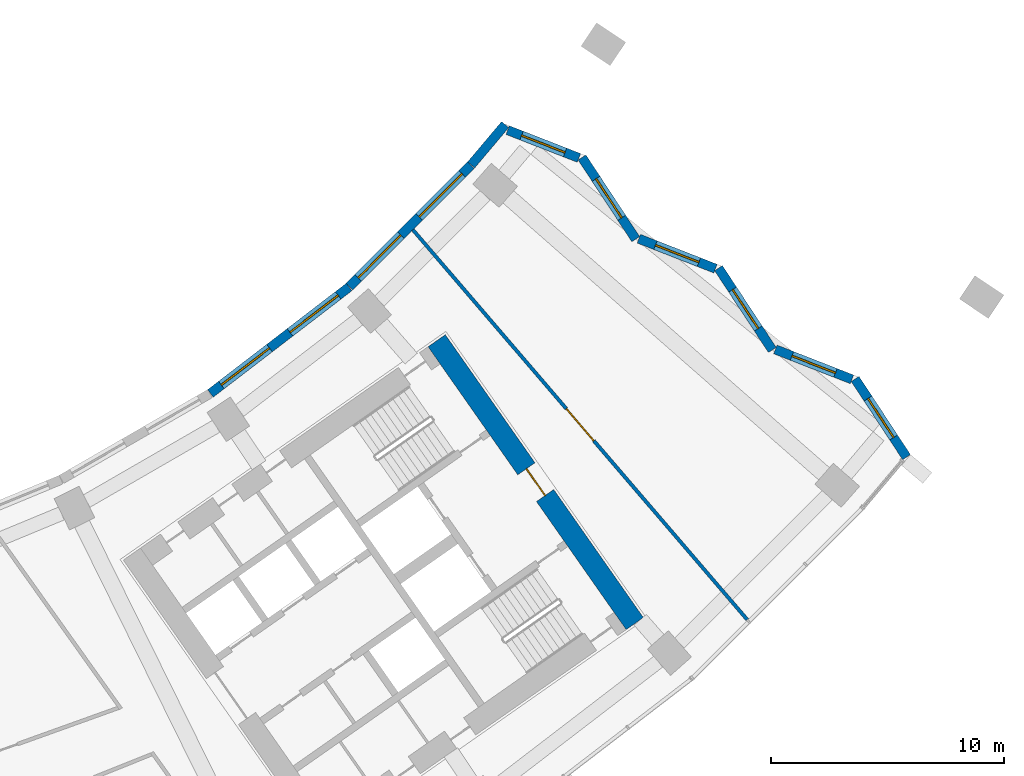
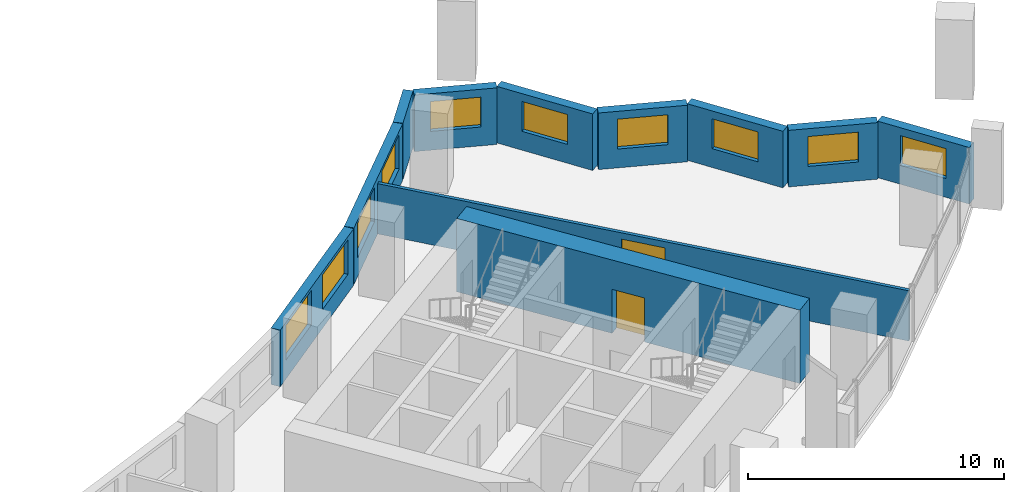
# One storey, part 8 of 30: 11 walls, 10 windows, 2 doors, 12 openings.
"""IFC4 building model written with IfcOpenShell, lengths in metres."""

from ifc_helpers import new_model, si_unit, direction, frame, frame_2d, origin, place, context, subcontext, project, spatial, rectangle, extrude, material, layer, layer_set, type_object, element, fill, save


model = new_model("IFC4")

# Units and contexts
model_context = context("Model", 3, precision=1e-05, world=origin(), true_north=direction((0.0, 1.0)))
body_context = subcontext(model_context, "Body", "Model", "MODEL_VIEW")
ifc_project = project(units=[si_unit("LENGTHUNIT", "METRE"), si_unit("AREAUNIT", "SQUARE_METRE"), si_unit("VOLUMEUNIT", "CUBIC_METRE"), si_unit("PLANEANGLEUNIT", "RADIAN"), si_unit("MASSUNIT", "GRAM", prefix="KILO")], contexts=[model_context])

# Site, building, storey
site_placement = place(None, origin())
site = spatial("IfcSite", under=ifc_project, at=site_placement, CompositionType="ELEMENT")
building_placement = place(site_placement, origin())
building = spatial("IfcBuilding", under=site, at=building_placement, Name="Qamariyya Broadcast Tower", CompositionType="ELEMENT")
storey_placement = place(building_placement, frame((0.0, 0.0, 125.300048828125)))
storey = spatial("IfcBuildingStorey", under=building, at=storey_placement, Name="L28", CompositionType="ELEMENT", Elevation=125.300048828125)

# Wall, opening, door
ifc_material_1 = material(Name="Concrete C70/85", Category="concrete")
ifc_layer_1 = layer(ifc_material_1, 0.89990234375)
ifc_layer_set_1 = layer_set([ifc_layer_1], Name="Core wall 900 mm Concrete C70/85")
wall_type_1 = type_object("IfcWallType", Name="Core wall 900 mm Concrete C70/85", PredefinedType="SHEAR", material=ifc_layer_set_1)
wall_1_placement = place(storey_placement, frame((49.778564453125, -57.191162109375, 0.0), z_axis=(0.0, 0.0, 1.0), x_axis=(-0.573577477574, 0.819151315216, 0.0)))
wall_1 = element("IfcWall", 1, at=wall_1_placement, inside=storey, type_object=wall_type_1, Name="k-E-L28-WH", PredefinedType="SHEAR", context=body_context, shape_type="SweptSolid", body=[
    extrude(rectangle(XDim=14.800048828125, YDim=0.89990234375, at=frame_2d((7.39990234375, 0.0))), origin(), (0.0, 0.0, 1.0), 3.5),
])
opening_1_placement = place(wall_1_placement, frame((6.699951171875, 0.0, 0.0)))
opening_1 = element("IfcOpeningElement", 2, at=opening_1_placement, cuts=wall_1, Name="Opening KD2-E1", PredefinedType="OPENING", context=body_context, shape_type="SweptSolid", body=[
    extrude(rectangle(XDim=1.39990234375, YDim=2.10009765625, at=frame_2d((0.699951171875, 1.050048828125))), frame((0.0, 0.4599609375, 0.0), z_axis=(0.0, -1.0, 0.0), x_axis=(1.0, 0.0, 0.0)), (0.0, 0.0, 1.0), 0.919921875),
])
ifc_material_2 = material(Name="Steel fire-resisting door leaf", Category="steel")
door_type_1 = type_object("IfcDoorType", Name="Fire-fighting lobby door KD2", OperationType="DOUBLE_DOOR_SINGLE_SWING", PredefinedType="DOOR", material=ifc_material_2)
door_1_placement = place(opening_1_placement, origin())
door_1 = element("IfcDoor", 3, at=door_1_placement, inside=storey, type_object=door_type_1, Name="k-E-L28-WH-D15", OperationType="DOUBLE_DOOR_SINGLE_SWING", OverallHeight=2.10009765625, OverallWidth=1.39990234375, PredefinedType="DOOR", context=body_context, shape_type="SweptSolid", body=[
    extrude(rectangle(XDim=1.39990234375, YDim=2.10009765625, at=frame_2d((0.699951171875, 1.050048828125))), frame((0.0, 0.02490234375, 0.0), z_axis=(0.0, -1.0, 0.0), x_axis=(1.0, 0.0, 0.0)), (0.0, 0.0, 1.0), 0.050048828125),
])
fill(opening_1, door_1)

ifc_material_3 = material(Name="Gypsum board partition")
ifc_layer_2 = layer(ifc_material_3, 0.14990234375)
ifc_layer_set_2 = layer_set([ifc_layer_2], Name="Corridor partition 150 EI 60")
wall_type_2 = type_object("IfcWallType", Name="Corridor partition 150 EI 60", PredefinedType="PARTITIONING", material=ifc_layer_set_2)
wall_2_placement = place(storey_placement, frame((40.267578125, -40.310791015625, 0.0), z_axis=(0.0, 0.0, 1.0), x_axis=(0.650987681244, -0.759088294514, 0.0)))
wall_2 = element("IfcWall", 4, at=wall_2_placement, inside=storey, type_object=wall_type_2, Name="Partition L28-039", PredefinedType="PARTITIONING", context=body_context, shape_type="SweptSolid", body=[
    extrude(rectangle(XDim=22.017822265625, YDim=0.14990234375, at=frame_2d((11.0087890625, 0.0))), origin(), (0.0, 0.0, 1.0), 2.39990234375),
])
opening_2_placement = place(wall_2_placement, frame((10.10888671875, 0.0, 0.0)))
opening_2 = element("IfcOpeningElement", 5, at=opening_2_placement, cuts=wall_2, Name="Opening L28-D18", PredefinedType="OPENING", context=body_context, shape_type="SweptSolid", body=[
    extrude(rectangle(XDim=1.800048828125, YDim=2.10009765625, at=frame_2d((0.89990234375, 1.050048828125))), frame((0.0, 0.0849609375, 0.0), z_axis=(0.0, -1.0, 0.0), x_axis=(1.0, 0.0, 0.0)), (0.0, 0.0, 1.0), 0.169921875),
])
ifc_material_4 = material(Name="Timber fire door leaf", Category="wood")
door_type_2 = type_object("IfcDoorType", Name="Double fire door 1800 x 2100 FD60", OperationType="NOTDEFINED", PredefinedType="DOOR", material=ifc_material_4)
door_2_placement = place(opening_2_placement, origin())
door_2 = element("IfcDoor", 6, at=door_2_placement, inside=storey, type_object=door_type_2, Name="Door L28-D18", OperationType="DOUBLE_DOOR_SINGLE_SWING", OverallHeight=2.10009765625, OverallWidth=1.800048828125, PredefinedType="DOOR", context=body_context, shape_type="SweptSolid", body=[
    extrude(rectangle(XDim=1.800048828125, YDim=2.10009765625, at=frame_2d((0.89990234375, 1.050048828125))), frame((0.0, 0.02490234375, 0.0), z_axis=(0.0, -1.0, 0.0), x_axis=(1.0, 0.0, 0.0)), (0.0, 0.0, 1.0), 0.050048828125),
])
fill(opening_2, door_2)

# Wall, opening, window
ifc_material_5 = material(Name="Terracotta", Category="masonry")
ifc_layer_3 = layer(ifc_material_5, 0.39990234375)
ifc_layer_set_3 = layer_set([ifc_layer_3], Name="Terracotta clad wall 400")
wall_type_3 = type_object("IfcWallType", Name="Terracotta clad wall 400", PredefinedType="SOLIDWALL", material=ifc_layer_set_3)
wall_3_placement = place(storey_placement, frame((61.4267578125, -50.056884765625, 0.0), z_axis=(0.0, 0.0, 1.0), x_axis=(-0.549523770795, 0.835478081898, 0.0)))
wall_3 = element("IfcWall", 7, at=wall_3_placement, inside=storey, type_object=wall_type_3, Name="e-wl-L28-capE0", PredefinedType="SOLIDWALL", context=body_context, shape_type="SweptSolid", body=[
    extrude(rectangle(XDim=4.013671875, YDim=0.39990234375, at=frame_2d((2.0068359375, 0.0))), origin(), (0.0, 0.0, 1.0), 2.699951171875),
])
opening_3_placement = place(wall_3_placement, frame((1.0068359375, 0.0, 0.89990234375)))
opening_3 = element("IfcOpeningElement", 8, at=opening_3_placement, cuts=wall_3, Name="Opening W4", PredefinedType="OPENING", context=body_context, shape_type="SweptSolid", body=[
    extrude(rectangle(XDim=2.0, YDim=1.425048828125, at=frame_2d((1.0, 0.71240234375))), frame((0.0, 0.2099609375, 0.0), z_axis=(0.0, -1.0, 0.0), x_axis=(1.0, 0.0, 0.0)), (0.0, 0.0, 1.0), 0.419921875),
])
ifc_material_6 = material(Name="Clear low-e double glazed unit in aluminium frame", Category="aluminium")
window_type_1 = type_object("IfcWindowType", Name="Horn bay window 2000 x 1425", PartitioningType="SINGLE_PANEL", PredefinedType="WINDOW", material=ifc_material_6)
window_1_placement = place(opening_3_placement, origin())
window_1 = element("IfcWindow", 9, at=window_1_placement, inside=storey, type_object=window_type_1, Name="e-w-L28-capE0", OverallHeight=1.425048828125, OverallWidth=2.0, PartitioningType="SINGLE_PANEL", PredefinedType="WINDOW", context=body_context, shape_type="SweptSolid", body=[
    extrude(rectangle(XDim=2.0, YDim=1.425048828125, at=frame_2d((1.0, 0.71240234375))), frame((0.0, 0.030029296875, 0.0), z_axis=(0.0, -1.0, 0.0), x_axis=(1.0, 0.0, 0.0)), (0.0, 0.0, 1.0), 0.06005859375),
])
fill(opening_3, window_1)

wall_4_placement = place(storey_placement, frame((59.089599609375, -46.7236328125, 0.0), z_axis=(0.0, 0.0, 1.0), x_axis=(-0.931529566466, 0.363665597493, 0.0)))
wall_4 = element("IfcWall", 10, at=wall_4_placement, inside=storey, type_object=wall_type_3, Name="e-wl-L28-capE1", PredefinedType="SOLIDWALL", context=body_context, shape_type="SweptSolid", body=[
    extrude(rectangle(XDim=3.52587890625, YDim=0.39990234375, at=frame_2d((1.762939453125, 0.0))), origin(), (0.0, 0.0, 1.0), 2.699951171875),
])
opening_4_placement = place(wall_4_placement, frame((0.762939453125, 0.0, 0.89990234375)))
opening_4 = element("IfcOpeningElement", 11, at=opening_4_placement, cuts=wall_4, Name="Opening W4", PredefinedType="OPENING", context=body_context, shape_type="SweptSolid", body=[
    extrude(rectangle(XDim=2.0, YDim=1.425048828125, at=frame_2d((1.0, 0.71240234375))), frame((0.0, 0.2099609375, 0.0), z_axis=(0.0, -1.0, 0.0), x_axis=(1.0, 0.0, 0.0)), (0.0, 0.0, 1.0), 0.419921875),
])
window_2_placement = place(opening_4_placement, origin())
window_2 = element("IfcWindow", 12, at=window_2_placement, inside=storey, type_object=window_type_1, Name="e-w-L28-capE1", OverallHeight=1.425048828125, OverallWidth=2.0, PartitioningType="SINGLE_PANEL", PredefinedType="WINDOW", context=body_context, shape_type="SweptSolid", body=[
    extrude(rectangle(XDim=2.0, YDim=1.425048828125, at=frame_2d((1.0, 0.71240234375))), frame((0.0, 0.030029296875, 0.0), z_axis=(0.0, -1.0, 0.0), x_axis=(1.0, 0.0, 0.0)), (0.0, 0.0, 1.0), 0.06005859375),
])
fill(opening_4, window_2)

wall_5_placement = place(storey_placement, frame((55.673583984375, -45.461181640625, 0.0), z_axis=(0.0, 0.0, 1.0), x_axis=(-0.549570518522, 0.835447332374, 0.0)))
wall_5 = element("IfcWall", 13, at=wall_5_placement, inside=storey, type_object=wall_type_3, Name="e-wl-L28-capE2", PredefinedType="SOLIDWALL", context=body_context, shape_type="SweptSolid", body=[
    extrude(rectangle(XDim=4.193115234375, YDim=0.39990234375, at=frame_2d((2.0966796875, 0.0))), origin(), (0.0, 0.0, 1.0), 2.699951171875),
])
opening_5_placement = place(wall_5_placement, frame((1.0966796875, 0.0, 0.89990234375)))
opening_5 = element("IfcOpeningElement", 14, at=opening_5_placement, cuts=wall_5, Name="Opening W4", PredefinedType="OPENING", context=body_context, shape_type="SweptSolid", body=[
    extrude(rectangle(XDim=2.0, YDim=1.425048828125, at=frame_2d((1.0, 0.71240234375))), frame((0.0, 0.2099609375, 0.0), z_axis=(0.0, -1.0, 0.0), x_axis=(1.0, 0.0, 0.0)), (0.0, 0.0, 1.0), 0.419921875),
])
window_3_placement = place(opening_5_placement, origin())
window_3 = element("IfcWindow", 15, at=window_3_placement, inside=storey, type_object=window_type_1, Name="e-w-L28-capE2", OverallHeight=1.425048828125, OverallWidth=2.0, PartitioningType="SINGLE_PANEL", PredefinedType="WINDOW", context=body_context, shape_type="SweptSolid", body=[
    extrude(rectangle(XDim=2.0, YDim=1.425048828125, at=frame_2d((1.0, 0.71240234375))), frame((0.0, 0.030029296875, 0.0), z_axis=(0.0, -1.0, 0.0), x_axis=(1.0, 0.0, 0.0)), (0.0, 0.0, 1.0), 0.06005859375),
])
fill(opening_5, window_3)

wall_6_placement = place(storey_placement, frame((53.237548828125, -41.97802734375, 0.0), z_axis=(0.0, 0.0, 1.0), x_axis=(-0.93156331492, 0.363579138971, 0.0)))
wall_6 = element("IfcWall", 16, at=wall_6_placement, inside=storey, type_object=wall_type_3, Name="e-wl-L28-capE3", PredefinedType="SOLIDWALL", context=body_context, shape_type="SweptSolid", body=[
    extrude(rectangle(XDim=3.524658203125, YDim=0.39990234375, at=frame_2d((1.76220703125, 0.0))), origin(), (0.0, 0.0, 1.0), 2.699951171875),
])
opening_6_placement = place(wall_6_placement, frame((0.762451171875, 0.0, 0.89990234375)))
opening_6 = element("IfcOpeningElement", 17, at=opening_6_placement, cuts=wall_6, Name="Opening W4", PredefinedType="OPENING", context=body_context, shape_type="SweptSolid", body=[
    extrude(rectangle(XDim=2.0, YDim=1.425048828125, at=frame_2d((1.0, 0.71240234375))), frame((0.0, 0.2099609375, 0.0), z_axis=(0.0, -1.0, 0.0), x_axis=(1.0, 0.0, 0.0)), (0.0, 0.0, 1.0), 0.419921875),
])
window_4_placement = place(opening_6_placement, origin())
window_4 = element("IfcWindow", 18, at=window_4_placement, inside=storey, type_object=window_type_1, Name="e-w-L28-capE3", OverallHeight=1.425048828125, OverallWidth=2.0, PartitioningType="SINGLE_PANEL", PredefinedType="WINDOW", context=body_context, shape_type="SweptSolid", body=[
    extrude(rectangle(XDim=2.0, YDim=1.425048828125, at=frame_2d((1.0, 0.71240234375))), frame((0.0, 0.030029296875, 0.0), z_axis=(0.0, -1.0, 0.0), x_axis=(1.0, 0.0, 0.0)), (0.0, 0.0, 1.0), 0.06005859375),
])
fill(opening_6, window_4)

wall_7_placement = place(storey_placement, frame((49.822265625, -40.716552734375, 0.0), z_axis=(0.0, 0.0, 1.0), x_axis=(-0.549626122501, 0.835410752543, 0.0)))
wall_7 = element("IfcWall", 19, at=wall_7_placement, inside=storey, type_object=wall_type_3, Name="e-wl-L28-capE4", PredefinedType="SOLIDWALL", context=body_context, shape_type="SweptSolid", body=[
    extrude(rectangle(XDim=4.194580078125, YDim=0.39990234375, at=frame_2d((2.09716796875, 0.0))), origin(), (0.0, 0.0, 1.0), 2.699951171875),
])
opening_7_placement = place(wall_7_placement, frame((1.09716796875, 0.0, 0.89990234375)))
opening_7 = element("IfcOpeningElement", 20, at=opening_7_placement, cuts=wall_7, Name="Opening W4", PredefinedType="OPENING", context=body_context, shape_type="SweptSolid", body=[
    extrude(rectangle(XDim=2.0, YDim=1.425048828125, at=frame_2d((1.0, 0.71240234375))), frame((0.0, 0.2099609375, 0.0), z_axis=(0.0, -1.0, 0.0), x_axis=(1.0, 0.0, 0.0)), (0.0, 0.0, 1.0), 0.419921875),
])
window_5_placement = place(opening_7_placement, origin())
window_5 = element("IfcWindow", 21, at=window_5_placement, inside=storey, type_object=window_type_1, Name="e-w-L28-capE4", OverallHeight=1.425048828125, OverallWidth=2.0, PartitioningType="SINGLE_PANEL", PredefinedType="WINDOW", context=body_context, shape_type="SweptSolid", body=[
    extrude(rectangle(XDim=2.0, YDim=1.425048828125, at=frame_2d((1.0, 0.71240234375))), frame((0.0, 0.030029296875, 0.0), z_axis=(0.0, -1.0, 0.0), x_axis=(1.0, 0.0, 0.0)), (0.0, 0.0, 1.0), 0.06005859375),
])
fill(opening_7, window_5)

wall_8_placement = place(storey_placement, frame((47.38525390625, -37.232421875, 0.0), z_axis=(0.0, 0.0, 1.0), x_axis=(-0.931594241368, 0.363499889203, 0.0)))
wall_8 = element("IfcWall", 22, at=wall_8_placement, inside=storey, type_object=wall_type_3, Name="e-wl-L28-capE5", PredefinedType="SOLIDWALL", context=body_context, shape_type="SweptSolid", body=[
    extrude(rectangle(XDim=3.275634765625, YDim=0.39990234375, at=frame_2d((1.6376953125, 0.0))), origin(), (0.0, 0.0, 1.0), 2.699951171875),
])
opening_8_placement = place(wall_8_placement, frame((0.6376953125, 0.0, 0.89990234375)))
opening_8 = element("IfcOpeningElement", 23, at=opening_8_placement, cuts=wall_8, Name="Opening W4", PredefinedType="OPENING", context=body_context, shape_type="SweptSolid", body=[
    extrude(rectangle(XDim=2.0, YDim=1.425048828125, at=frame_2d((1.0, 0.71240234375))), frame((0.0, 0.2099609375, 0.0), z_axis=(0.0, -1.0, 0.0), x_axis=(1.0, 0.0, 0.0)), (0.0, 0.0, 1.0), 0.419921875),
])
window_6_placement = place(opening_8_placement, origin())
window_6 = element("IfcWindow", 24, at=window_6_placement, inside=storey, type_object=window_type_1, Name="e-w-L28-capE5", OverallHeight=1.425048828125, OverallWidth=2.0, PartitioningType="SINGLE_PANEL", PredefinedType="WINDOW", context=body_context, shape_type="SweptSolid", body=[
    extrude(rectangle(XDim=2.0, YDim=1.425048828125, at=frame_2d((1.0, 0.71240234375))), frame((0.0, 0.030029296875, 0.0), z_axis=(0.0, -1.0, 0.0), x_axis=(1.0, 0.0, 0.0)), (0.0, 0.0, 1.0), 0.06005859375),
])
fill(opening_8, window_6)

# Wall, openings, windows
wall_9_placement = place(storey_placement, frame((37.536865234375, -42.764892578125, 0.0), z_axis=(0.0, 0.0, 1.0), x_axis=(-0.793363487476, -0.608748204711, 0.0)))
wall_9 = element("IfcWall", 25, at=wall_9_placement, inside=storey, type_object=wall_type_3, Name="e-wl-L28-in140", PredefinedType="SOLIDWALL", context=body_context, shape_type="SweptSolid", body=[
    extrude(rectangle(XDim=7.492919921875, YDim=0.39990234375, at=frame_2d((3.74658203125, 0.0))), origin(), (0.0, 0.0, 1.0), 2.699951171875),
])
opening_9_placement = place(wall_9_placement, frame((4.300537109375, 0.0, 0.89990234375)))
opening_9 = element("IfcOpeningElement", 26, at=opening_9_placement, cuts=wall_9, Name="Opening W1", PredefinedType="OPENING", context=body_context, shape_type="SweptSolid", body=[
    extrude(rectangle(XDim=2.60009765625, YDim=1.64990234375, at=frame_2d((1.300048828125, 0.824951171875))), frame((0.0, 0.2099609375, 0.0), z_axis=(0.0, -1.0, 0.0), x_axis=(1.0, 0.0, 0.0)), (0.0, 0.0, 1.0), 0.419921875),
])
opening_10_placement = place(wall_9_placement, frame((0.59228515625, 0.0, 0.89990234375)))
opening_10 = element("IfcOpeningElement", 27, at=opening_10_placement, cuts=wall_9, Name="Opening W1", PredefinedType="OPENING", context=body_context, shape_type="SweptSolid", body=[
    extrude(rectangle(XDim=2.60009765625, YDim=1.64990234375, at=frame_2d((1.300048828125, 0.824951171875))), frame((0.0, 0.2099609375, 0.0), z_axis=(0.0, -1.0, 0.0), x_axis=(1.0, 0.0, 0.0)), (0.0, 0.0, 1.0), 0.419921875),
])
window_type_2 = type_object("IfcWindowType", Name="Ribbon window 2600 x 1650", PartitioningType="SINGLE_PANEL", PredefinedType="WINDOW", material=ifc_material_6)
window_7_placement = place(opening_9_placement, origin())
window_7 = element("IfcWindow", 28, at=window_7_placement, inside=storey, type_object=window_type_2, Name="e-w-L28-in14-0", OverallHeight=1.64990234375, OverallWidth=2.60009765625, PartitioningType="SINGLE_PANEL", PredefinedType="WINDOW", context=body_context, shape_type="SweptSolid", body=[
    extrude(rectangle(XDim=2.60009765625, YDim=1.64990234375, at=frame_2d((1.300048828125, 0.824951171875))), frame((0.0, 0.030029296875, 0.0), z_axis=(0.0, -1.0, 0.0), x_axis=(1.0, 0.0, 0.0)), (0.0, 0.0, 1.0), 0.06005859375),
])
fill(opening_9, window_7)
window_8_placement = place(opening_10_placement, origin())
window_8 = element("IfcWindow", 29, at=window_8_placement, inside=storey, type_object=window_type_2, Name="e-w-L28-in14-1", OverallHeight=1.64990234375, OverallWidth=2.60009765625, PartitioningType="SINGLE_PANEL", PredefinedType="WINDOW", context=body_context, shape_type="SweptSolid", body=[
    extrude(rectangle(XDim=2.60009765625, YDim=1.64990234375, at=frame_2d((1.300048828125, 0.824951171875))), frame((0.0, 0.030029296875, 0.0), z_axis=(0.0, -1.0, 0.0), x_axis=(1.0, 0.0, 0.0)), (0.0, 0.0, 1.0), 0.06005859375),
])
fill(opening_10, window_8)

wall_10_placement = place(storey_placement, frame((42.75439453125, -37.542724609375, 0.0), z_axis=(0.0, 0.0, 1.0), x_axis=(-0.707106781187, -0.707106781187, 0.0)))
wall_10 = element("IfcWall", 30, at=wall_10_placement, inside=storey, type_object=wall_type_3, Name="e-wl-L28-in150", PredefinedType="SOLIDWALL", context=body_context, shape_type="SweptSolid", body=[
    extrude(rectangle(XDim=7.35595703125, YDim=0.39990234375, at=frame_2d((3.677978515625, 0.0))), origin(), (0.0, 0.0, 1.0), 2.699951171875),
])
opening_11_placement = place(wall_10_placement, frame((4.2392578125, 0.0, 0.89990234375)))
opening_11 = element("IfcOpeningElement", 31, at=opening_11_placement, cuts=wall_10, Name="Opening W1", PredefinedType="OPENING", context=body_context, shape_type="SweptSolid", body=[
    extrude(rectangle(XDim=2.60009765625, YDim=1.64990234375, at=frame_2d((1.300048828125, 0.824951171875))), frame((0.0, 0.2099609375, 0.0), z_axis=(0.0, -1.0, 0.0), x_axis=(1.0, 0.0, 0.0)), (0.0, 0.0, 1.0), 0.419921875),
])
opening_12_placement = place(wall_10_placement, frame((0.531005859375, 0.0, 0.89990234375)))
opening_12 = element("IfcOpeningElement", 32, at=opening_12_placement, cuts=wall_10, Name="Opening W1", PredefinedType="OPENING", context=body_context, shape_type="SweptSolid", body=[
    extrude(rectangle(XDim=2.60009765625, YDim=1.64990234375, at=frame_2d((1.300048828125, 0.824951171875))), frame((0.0, 0.2099609375, 0.0), z_axis=(0.0, -1.0, 0.0), x_axis=(1.0, 0.0, 0.0)), (0.0, 0.0, 1.0), 0.419921875),
])
window_9_placement = place(opening_11_placement, origin())
window_9 = element("IfcWindow", 33, at=window_9_placement, inside=storey, type_object=window_type_2, Name="e-w-L28-in15-0", OverallHeight=1.64990234375, OverallWidth=2.60009765625, PartitioningType="SINGLE_PANEL", PredefinedType="WINDOW", context=body_context, shape_type="SweptSolid", body=[
    extrude(rectangle(XDim=2.60009765625, YDim=1.64990234375, at=frame_2d((1.300048828125, 0.824951171875))), frame((0.0, 0.030029296875, 0.0), z_axis=(0.0, -1.0, 0.0), x_axis=(1.0, 0.0, 0.0)), (0.0, 0.0, 1.0), 0.06005859375),
])
fill(opening_11, window_9)
window_10_placement = place(opening_12_placement, origin())
window_10 = element("IfcWindow", 34, at=window_10_placement, inside=storey, type_object=window_type_2, Name="e-w-L28-in15-1", OverallHeight=1.64990234375, OverallWidth=2.60009765625, PartitioningType="SINGLE_PANEL", PredefinedType="WINDOW", context=body_context, shape_type="SweptSolid", body=[
    extrude(rectangle(XDim=2.60009765625, YDim=1.64990234375, at=frame_2d((1.300048828125, 0.824951171875))), frame((0.0, 0.030029296875, 0.0), z_axis=(0.0, -1.0, 0.0), x_axis=(1.0, 0.0, 0.0)), (0.0, 0.0, 1.0), 0.06005859375),
])
fill(opening_12, window_10)

# Wall
wall_11_placement = place(storey_placement, frame((44.22314453125, -35.805419921875, 0.0), z_axis=(0.0, 0.0, 1.0), x_axis=(-0.644734765507, -0.764406359306, 0.0)))
element("IfcWall", 35, at=wall_11_placement, inside=storey, type_object=wall_type_3, Name="e-wl-L28-in160", PredefinedType="SOLIDWALL", context=body_context, shape_type="SweptSolid", body=[
    extrude(rectangle(XDim=2.25830078125, YDim=0.39990234375, at=frame_2d((1.129150390625, 0.0))), origin(), (0.0, 0.0, 1.0), 2.699951171875),
])

save(model, "model.ifc")
